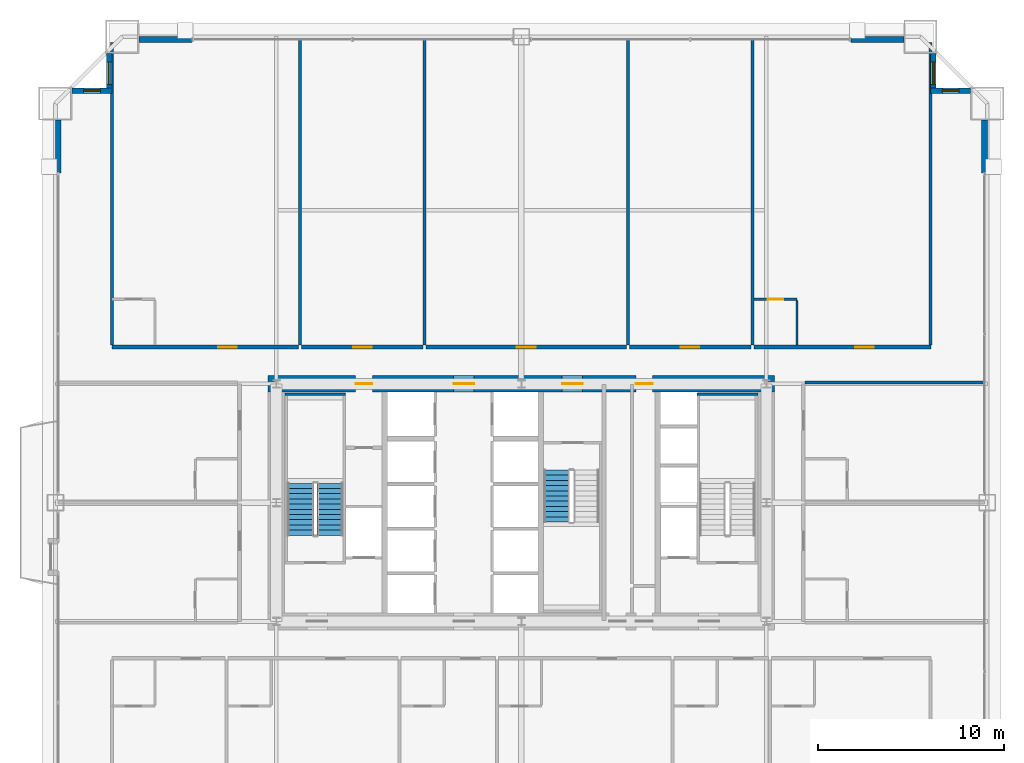
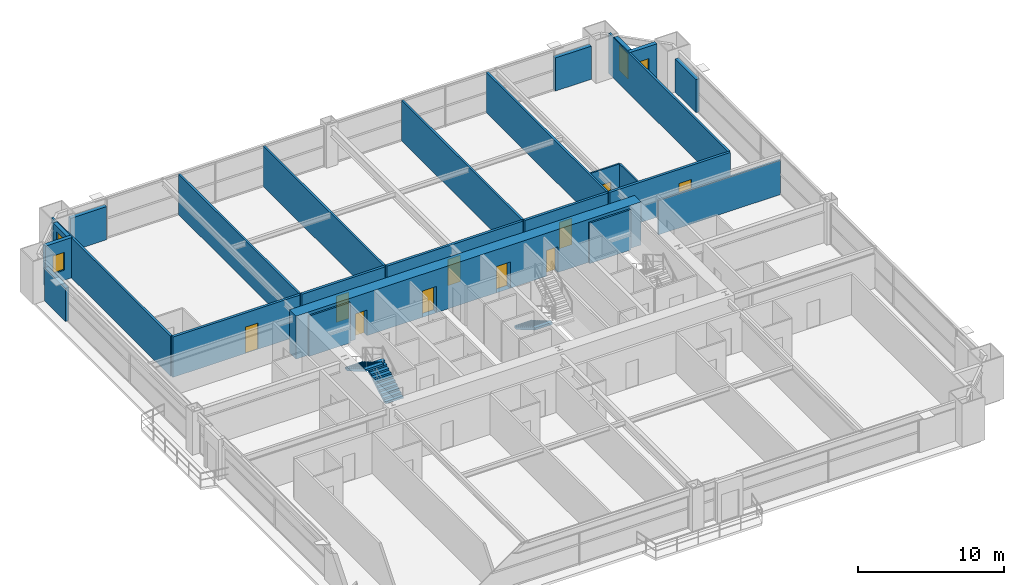
# One storey, part 44 of 46: 25 walls, 10 doors, 4 windows, 3 stair flights, 14 openings, 2 elements without a shape of their own.
"""IFC4 building model written with IfcOpenShell, lengths in metres."""

from ifc_helpers import new_model, si_unit, direction, frame, frame_2d, origin, place, context, subcontext, project, spatial, polyline, rectangle, outline, extrude, source, transform, mapped, material, layer, layer_set, type_object, element, fill, aggregate, save


model = new_model("IFC4")

# Units and contexts
model_context = context("Model", 3, precision=1e-05, world=origin(), true_north=direction((0.0, 1.0)))
body_context = subcontext(model_context, "Body", "Model", "MODEL_VIEW")
ifc_project = project(units=[si_unit("LENGTHUNIT", "METRE"), si_unit("AREAUNIT", "SQUARE_METRE"), si_unit("VOLUMEUNIT", "CUBIC_METRE"), si_unit("PLANEANGLEUNIT", "RADIAN"), si_unit("MASSUNIT", "GRAM", prefix="KILO"), si_unit("THERMODYNAMICTEMPERATUREUNIT", "KELVIN"), si_unit("POWERUNIT", "WATT")], contexts=[model_context])

# Site, building, storey
site_placement = place(None, origin())
site = spatial("IfcSite", under=ifc_project, at=site_placement, CompositionType="ELEMENT")
building_placement = place(site_placement, origin())
building = spatial("IfcBuilding", under=site, at=building_placement, Name="Yuzanri Waterfront Tower", CompositionType="ELEMENT")
storey_placement = place(building_placement, frame((0.0, 0.0, 56.800048828125)))
storey = spatial("IfcBuildingStorey", under=building, at=storey_placement, Name="L14", CompositionType="ELEMENT", Elevation=56.800048828125)

# Wall, opening, door
ifc_material_1 = material(Name="Moisture-Resistant Gypsum Stud Wall", Category="gypsum")
ifc_layer_1 = layer(ifc_material_1, 0.1201171875)
ifc_layer_set_1 = layer_set([ifc_layer_1], Name="Moisture-Resistant Gypsum Stud Wall")
wall_type_1 = type_object("IfcWallType", Name="Bathroom and Kitchen Wet Partition 120", PredefinedType="PARTITIONING", material=ifc_layer_set_1)
wall_1_placement = place(storey_placement, frame((49.52197265625, 36.760009765625, 0.0), z_axis=(0.0, 0.0, 1.0), x_axis=(1.0, 0.0, 0.0)))
wall_1 = element("IfcWall", 1, at=wall_1_placement, inside=storey, type_object=wall_type_1, Name="L14 Partition UW-L14-N5-BN", PredefinedType="PARTITIONING", context=body_context, shape_type="SweptSolid", body=[
    extrude(rectangle(XDim=2.330078125, YDim=0.1201171875, at=frame_2d((1.1650390625, 0.0))), origin(), (0.0, 0.0, 1.0), 3.3798828125),
])
opening_1_placement = place(wall_1_placement, frame((0.739990234375, 0.0, 0.0)))
opening_1 = element("IfcOpeningElement", 2, at=opening_1_placement, cuts=wall_1, Name="Opening ID-0850", PredefinedType="OPENING", context=body_context, shape_type="SweptSolid", body=[
    extrude(rectangle(XDim=0.85009765625, YDim=2.10009765625, at=frame_2d((0.425048828125, 1.050048828125))), frame((0.0, 0.074951171875, 0.0), z_axis=(0.0, -1.0, 0.0), x_axis=(1.0, 0.0, 0.0)), (0.0, 0.0, 1.0), 0.14990234375),
])
ifc_material_2 = material(Name="Moisture-Resistant Lacquered Timber", Category="wood")
door_type_1 = type_object("IfcDoorType", Name="En-Suite Bathroom and Kitchen Swing Door 850x2100", OperationType="NOTDEFINED", PredefinedType="DOOR", material=ifc_material_2)
shared_shape_1 = source(origin(), body_context, "Body", "SweptSolid", [
    extrude(rectangle(XDim=0.85009765625, YDim=2.10009765625, at=frame_2d((0.425048828125, 1.050048828125))), frame((0.0, 0.02490234375, 0.0), z_axis=(0.0, -1.0, 0.0), x_axis=(1.0, 0.0, 0.0)), (0.0, 0.0, 1.0), 0.050048828125),
])
door_1_placement = place(opening_1_placement, origin())
door_1 = element("IfcDoor", 3, at=door_1_placement, inside=storey, type_object=door_type_1, Name="L14 Guest En-Suite Door", OperationType="SINGLE_SWING_LEFT", OverallHeight=2.10009765625, OverallWidth=0.85009765625, PredefinedType="DOOR", context=body_context, shape_type="MappedRepresentation", body=[
    mapped(shared_shape_1, transform((0.0, 0.0, 0.0), scale=1.0)),
])
fill(opening_1, door_1)

# Wall, opening, window
ifc_material_3 = material(Name="Honed Chongqing Dark Basalt Stone", Category="masonry")
ifc_layer_2 = layer(ifc_material_3, 0.300048828125)
ifc_layer_set_2 = layer_set([ifc_layer_2], Name="Honed Chongqing Dark Basalt Stone")
wall_type_2 = type_object("IfcWallType", Name="Bronze Rainscreen Insulated Spandrel Portal Wall 300", PredefinedType="SOLIDWALL", material=ifc_layer_set_2)
wall_2_placement = place(storey_placement, frame((14.949951171875, 48.0, 0.0), z_axis=(0.0, 0.0, 1.0), x_axis=(-1.0, 0.0, 0.0)))
wall_2 = element("IfcWall", 4, at=wall_2_placement, inside=storey, type_object=wall_type_2, Name="L14 Notched Corner Masonry Wall NW-X", PredefinedType="SOLIDWALL", context=body_context, shape_type="SweptSolid", body=[
    extrude(rectangle(XDim=2.14990234375, YDim=0.300048828125, at=frame_2d((1.074951171875, 0.0))), origin(), (0.0, 0.0, 1.0), 3.3798828125),
])
opening_2_placement = place(wall_2_placement, frame((0.625, 0.0, 0.85009765625)))
opening_2 = element("IfcOpeningElement", 5, at=opening_2_placement, cuts=wall_2, Name="Opening WN-05", PredefinedType="OPENING", context=body_context, shape_type="SweptSolid", body=[
    extrude(rectangle(XDim=0.89990234375, YDim=1.5, at=frame_2d((0.449951171875, 0.75))), frame((0.0, 0.1650390625, 0.0), z_axis=(0.0, -1.0, 0.0), x_axis=(1.0, 0.0, 0.0)), (0.0, 0.0, 1.0), 0.329833984375),
])
ifc_material_4 = material(Name="Double-Silver Low-E Insulated Glass", Category="glass")
window_type_1 = type_object("IfcWindowType", Name="Anodized Bronze Service and Stairwell Smoke-Vent Window 900x1500", PartitioningType="SINGLE_PANEL", PredefinedType="WINDOW", material=ifc_material_4)
shared_shape_2 = source(origin(), body_context, "Body", "SweptSolid", [
    extrude(rectangle(XDim=0.89990234375, YDim=1.5, at=frame_2d((0.449951171875, 0.75))), frame((0.0, 0.030029296875, 0.0), z_axis=(0.0, -1.0, 0.0), x_axis=(1.0, 0.0, 0.0)), (0.0, 0.0, 1.0), 0.06005859375),
])
window_1_placement = place(opening_2_placement, origin())
window_1 = element("IfcWindow", 6, at=window_1_placement, inside=storey, type_object=window_type_1, Name="L14 Notched Corner Window NW-X", OverallHeight=1.5, OverallWidth=0.89990234375, PartitioningType="SINGLE_PANEL", PredefinedType="WINDOW", context=body_context, shape_type="MappedRepresentation", body=[
    mapped(shared_shape_2, transform((0.0, 0.0, 0.0), scale=1.0)),
])
fill(opening_2, window_1)

wall_3_placement = place(storey_placement, frame((14.800048828125, 50.0, 0.0), z_axis=(0.0, 0.0, 1.0), x_axis=(0.0, -1.0, 0.0)))
wall_3 = element("IfcWall", 7, at=wall_3_placement, inside=storey, type_object=wall_type_2, Name="L14 Notched Corner Masonry Wall NW-Y", PredefinedType="SOLIDWALL", context=body_context, shape_type="SweptSolid", body=[
    extrude(rectangle(XDim=2.14990234375, YDim=0.300048828125, at=frame_2d((1.074951171875, 0.0))), origin(), (0.0, 0.0, 1.0), 3.3798828125),
])
opening_3_placement = place(wall_3_placement, frame((0.47509765625, 0.0, 0.85009765625)))
opening_3 = element("IfcOpeningElement", 8, at=opening_3_placement, cuts=wall_3, Name="Opening WN-02", PredefinedType="OPENING", context=body_context, shape_type="SweptSolid", body=[
    extrude(rectangle(XDim=1.199951171875, YDim=2.10009765625, at=frame_2d((0.60009765625, 1.050048828125))), frame((0.0, 0.1650390625, 0.0), z_axis=(0.0, -1.0, 0.0), x_axis=(1.0, 0.0, 0.0)), (0.0, 0.0, 1.0), 0.329833984375),
])
ifc_material_5 = material(Name="Double-Silver Low-E Insulated Glass", Category="glass")
window_type_2 = type_object("IfcWindowType", Name="Anodized Bronze Notched Corner Deep-Set Slot Window 1200x2100", PartitioningType="SINGLE_PANEL", PredefinedType="WINDOW", material=ifc_material_5)
shared_shape_3 = source(origin(), body_context, "Body", "SweptSolid", [
    extrude(rectangle(XDim=1.199951171875, YDim=2.10009765625, at=frame_2d((0.60009765625, 1.050048828125))), frame((0.0, 0.030029296875, 0.0), z_axis=(0.0, -1.0, 0.0), x_axis=(1.0, 0.0, 0.0)), (0.0, 0.0, 1.0), 0.06005859375),
])
window_2_placement = place(opening_3_placement, origin())
window_2 = element("IfcWindow", 9, at=window_2_placement, inside=storey, type_object=window_type_2, Name="L14 Notched Corner Window NW-Y", OverallHeight=2.10009765625, OverallWidth=1.199951171875, PartitioningType="SINGLE_PANEL", PredefinedType="WINDOW", context=body_context, shape_type="MappedRepresentation", body=[
    mapped(shared_shape_3, transform((0.0, 0.0, 0.0), scale=1.0)),
])
fill(opening_3, window_2)

wall_4_placement = place(storey_placement, frame((61.199951171875, 48.0, 0.0), z_axis=(0.0, 0.0, 1.0), x_axis=(-1.0, 0.0, 0.0)))
wall_4 = element("IfcWall", 10, at=wall_4_placement, inside=storey, type_object=wall_type_2, Name="L14 Notched Corner Masonry Wall NE-X", PredefinedType="SOLIDWALL", context=body_context, shape_type="SweptSolid", body=[
    extrude(rectangle(XDim=2.14990234375, YDim=0.300048828125, at=frame_2d((1.074951171875, 0.0))), origin(), (0.0, 0.0, 1.0), 3.3798828125),
])
opening_4_placement = place(wall_4_placement, frame((0.625, 0.0, 0.85009765625)))
opening_4 = element("IfcOpeningElement", 11, at=opening_4_placement, cuts=wall_4, Name="Opening WN-05", PredefinedType="OPENING", context=body_context, shape_type="SweptSolid", body=[
    extrude(rectangle(XDim=0.89990234375, YDim=1.5, at=frame_2d((0.449951171875, 0.75))), frame((0.0, 0.1650390625, 0.0), z_axis=(0.0, -1.0, 0.0), x_axis=(1.0, 0.0, 0.0)), (0.0, 0.0, 1.0), 0.329833984375),
])
window_3_placement = place(opening_4_placement, origin())
window_3 = element("IfcWindow", 12, at=window_3_placement, inside=storey, type_object=window_type_1, Name="L14 Notched Corner Window NE-X", OverallHeight=1.5, OverallWidth=0.89990234375, PartitioningType="SINGLE_PANEL", PredefinedType="WINDOW", context=body_context, shape_type="MappedRepresentation", body=[
    mapped(shared_shape_2, transform((0.0, 0.0, 0.0), scale=1.0)),
])
fill(opening_4, window_3)

wall_5_placement = place(storey_placement, frame((59.199951171875, 47.85009765625, 0.0), z_axis=(0.0, 0.0, 1.0), x_axis=(0.0, 1.0, 0.0)))
wall_5 = element("IfcWall", 13, at=wall_5_placement, inside=storey, type_object=wall_type_2, Name="L14 Notched Corner Masonry Wall NE-Y", PredefinedType="SOLIDWALL", context=body_context, shape_type="SweptSolid", body=[
    extrude(rectangle(XDim=2.14990234375, YDim=0.300048828125, at=frame_2d((1.074951171875, 0.0))), origin(), (0.0, 0.0, 1.0), 3.3798828125),
])
opening_5_placement = place(wall_5_placement, frame((0.47509765625, 0.0, 0.85009765625)))
opening_5 = element("IfcOpeningElement", 14, at=opening_5_placement, cuts=wall_5, Name="Opening WN-02", PredefinedType="OPENING", context=body_context, shape_type="SweptSolid", body=[
    extrude(rectangle(XDim=1.199951171875, YDim=2.10009765625, at=frame_2d((0.60009765625, 1.050048828125))), frame((0.0, 0.1650390625, 0.0), z_axis=(0.0, -1.0, 0.0), x_axis=(1.0, 0.0, 0.0)), (0.0, 0.0, 1.0), 0.329833984375),
])
window_4_placement = place(opening_5_placement, origin())
window_4 = element("IfcWindow", 15, at=window_4_placement, inside=storey, type_object=window_type_2, Name="L14 Notched Corner Window NE-Y", OverallHeight=2.10009765625, OverallWidth=1.199951171875, PartitioningType="SINGLE_PANEL", PredefinedType="WINDOW", context=body_context, shape_type="MappedRepresentation", body=[
    mapped(shared_shape_3, transform((0.0, 0.0, 0.0), scale=1.0)),
])
fill(opening_5, window_4)

# Wall, openings, doors
ifc_material_6 = material(Name="Concrete C60", Category="concrete")
ifc_layer_3 = layer(ifc_material_6, 0.89990234375)
ifc_layer_set_3 = layer_set([ifc_layer_3], Name="Concrete C60")
wall_type_3 = type_object("IfcWallType", Name="Concrete C60 Lower Zone Core Shear Wall 900", PredefinedType="SHEAR", material=ifc_layer_set_3)
wall_6_placement = place(storey_placement, frame((23.35009765625, 32.199951171875, 0.0), z_axis=(0.0, 0.0, 1.0), x_axis=(1.0, 0.0, 0.0)))
wall_6 = element("IfcWall", 16, at=wall_6_placement, inside=storey, type_object=wall_type_3, Name="L14 Core North Shear Wall", PredefinedType="SHEAR", context=body_context, shape_type="SweptSolid", body=[
    extrude(rectangle(XDim=27.2998046875, YDim=0.89990234375, at=frame_2d((13.64990234375, 0.0))), origin(), (0.0, 0.0, 1.0), 3.599853515625),
])
opening_6_placement = place(wall_6_placement, frame((4.719970703125, 0.0, 0.0)))
opening_6 = element("IfcOpeningElement", 17, at=opening_6_placement, cuts=wall_6, Name="Opening FD-0900", PredefinedType="OPENING", context=body_context, shape_type="SweptSolid", body=[
    extrude(rectangle(XDim=0.89990234375, YDim=2.14990234375, at=frame_2d((0.449951171875, 1.074951171875))), frame((0.0, 0.46484375, 0.0), z_axis=(0.0, -1.0, 0.0), x_axis=(1.0, 0.0, 0.0)), (0.0, 0.0, 1.0), 0.9296875),
])
opening_7_placement = place(wall_6_placement, frame((10.0, 0.0, 0.0)))
opening_7 = element("IfcOpeningElement", 18, at=opening_7_placement, cuts=wall_6, Name="Opening FD-1100", PredefinedType="OPENING", context=body_context, shape_type="SweptSolid", body=[
    extrude(rectangle(XDim=1.10009765625, YDim=2.199951171875, at=frame_2d((0.550048828125, 1.10009765625))), frame((0.0, 0.46484375, 0.0), z_axis=(0.0, -1.0, 0.0), x_axis=(1.0, 0.0, 0.0)), (0.0, 0.0, 1.0), 0.9296875),
])
opening_8_placement = place(wall_6_placement, frame((15.85009765625, 0.0, 0.0)))
opening_8 = element("IfcOpeningElement", 19, at=opening_8_placement, cuts=wall_6, Name="Opening FD-1100", PredefinedType="OPENING", context=body_context, shape_type="SweptSolid", body=[
    extrude(rectangle(XDim=1.10009765625, YDim=2.199951171875, at=frame_2d((0.550048828125, 1.10009765625))), frame((0.0, 0.46484375, 0.0), z_axis=(0.0, -1.0, 0.0), x_axis=(1.0, 0.0, 0.0)), (0.0, 0.0, 1.0), 0.9296875),
])
opening_9_placement = place(wall_6_placement, frame((19.820068359375, 0.0, 0.0)))
opening_9 = element("IfcOpeningElement", 20, at=opening_9_placement, cuts=wall_6, Name="Opening FD-0900", PredefinedType="OPENING", context=body_context, shape_type="SweptSolid", body=[
    extrude(rectangle(XDim=0.89990234375, YDim=2.14990234375, at=frame_2d((0.449951171875, 1.074951171875))), frame((0.0, 0.46484375, 0.0), z_axis=(0.0, -1.0, 0.0), x_axis=(1.0, 0.0, 0.0)), (0.0, 0.0, 1.0), 0.9296875),
])
ifc_material_7 = material(Name="Painted Galvanized Fire Steel", Category="steel")
door_type_2 = type_object("IfcDoorType", Name="Smoke-Proof Stair and Lobby Fire Door 1100x2200", OperationType="NOTDEFINED", PredefinedType="DOOR", material=ifc_material_7)
shared_shape_4 = source(origin(), body_context, "Body", "SweptSolid", [
    extrude(rectangle(XDim=1.10009765625, YDim=2.199951171875, at=frame_2d((0.550048828125, 1.10009765625))), frame((0.0, 0.02490234375, 0.0), z_axis=(0.0, -1.0, 0.0), x_axis=(1.0, 0.0, 0.0)), (0.0, 0.0, 1.0), 0.050048828125),
])
door_2_placement = place(opening_7_placement, origin())
door_2 = element("IfcDoor", 21, at=door_2_placement, inside=storey, type_object=door_type_2, Name="L14 Central Lift Lobby North Door", OperationType="SINGLE_SWING_LEFT", OverallHeight=2.199951171875, OverallWidth=1.10009765625, PredefinedType="DOOR", context=body_context, shape_type="MappedRepresentation", body=[
    mapped(shared_shape_4, transform((0.0, 0.0, 0.0), scale=1.0)),
])
fill(opening_7, door_2)
door_3_placement = place(opening_8_placement, origin())
door_3 = element("IfcDoor", 22, at=door_3_placement, inside=storey, type_object=door_type_2, Name="L14 North Stair Lobby Door", OperationType="SINGLE_SWING_RIGHT", OverallHeight=2.199951171875, OverallWidth=1.10009765625, PredefinedType="DOOR", context=body_context, shape_type="MappedRepresentation", body=[
    mapped(shared_shape_4, transform((0.0, 0.0, 0.0), scale=1.0)),
])
fill(opening_8, door_3)
ifc_material_8 = material(Name="Painted Galvanized Fire Steel", Category="steel")
door_type_3 = type_object("IfcDoorType", Name="Riser and Service Room Fire Door 900x2150", OperationType="NOTDEFINED", PredefinedType="DOOR", material=ifc_material_8)
shared_shape_5 = source(origin(), body_context, "Body", "SweptSolid", [
    extrude(rectangle(XDim=0.89990234375, YDim=2.14990234375, at=frame_2d((0.449951171875, 1.074951171875))), frame((0.0, 0.02490234375, 0.0), z_axis=(0.0, -1.0, 0.0), x_axis=(1.0, 0.0, 0.0)), (0.0, 0.0, 1.0), 0.050048828125),
])
door_4_placement = place(opening_6_placement, origin())
door_4 = element("IfcDoor", 23, at=door_4_placement, inside=storey, type_object=door_type_3, Name="L14 Telecom Riser Door", OperationType="SINGLE_SWING_RIGHT", OverallHeight=2.14990234375, OverallWidth=0.89990234375, PredefinedType="DOOR", context=body_context, shape_type="MappedRepresentation", body=[
    mapped(shared_shape_5, transform((0.0, 0.0, 0.0), scale=1.0)),
])
fill(opening_6, door_4)
door_5_placement = place(opening_9_placement, origin())
door_5 = element("IfcDoor", 24, at=door_5_placement, inside=storey, type_object=door_type_3, Name="L14 Linen Store Room", OperationType="SINGLE_SWING_RIGHT", OverallHeight=2.14990234375, OverallWidth=0.89990234375, PredefinedType="DOOR", context=body_context, shape_type="MappedRepresentation", body=[
    mapped(shared_shape_5, transform((0.0, 0.0, 0.0), scale=1.0)),
])
fill(opening_9, door_5)

# Wall, opening, door
ifc_material_9 = material(Name="Autoclaved Aerated Concrete Blockwork", Category="masonry")
ifc_layer_4 = layer(ifc_material_9, 0.199951171875)
ifc_layer_set_4 = layer_set([ifc_layer_4], Name="Autoclaved Aerated Concrete Blockwork")
wall_type_4 = type_object("IfcWallType", Name="Corridor and Unit Party Fire Wall 200", PredefinedType="PARTITIONING", material=ifc_layer_set_4)
wall_7_placement = place(storey_placement, frame((14.93994140625, 34.179931640625, 0.0), z_axis=(0.0, 0.0, 1.0), x_axis=(1.0, 0.0, 0.0)))
wall_7 = element("IfcWall", 25, at=wall_7_placement, inside=storey, type_object=wall_type_4, Name="L14 Partition UW-L14-N1-CS", PredefinedType="PARTITIONING", context=body_context, shape_type="SweptSolid", body=[
    extrude(rectangle(XDim=10.068115234375, YDim=0.199951171875, at=frame_2d((5.0341796875, 0.0))), origin(), (0.0, 0.0, 1.0), 3.3798828125),
])
opening_10_placement = place(wall_7_placement, frame((5.739013671875, 0.0, 0.0)))
opening_10 = element("IfcOpeningElement", 26, at=opening_10_placement, cuts=wall_7, Name="Opening FD-1000", PredefinedType="OPENING", context=body_context, shape_type="SweptSolid", body=[
    extrude(rectangle(XDim=1.0, YDim=2.199951171875, at=frame_2d((0.5, 1.10009765625))), frame((0.0, 0.11474609375, 0.0), z_axis=(0.0, -1.0, 0.0), x_axis=(1.0, 0.0, 0.0)), (0.0, 0.0, 1.0), 0.229736328125),
])
ifc_material_10 = material(Name="Engineered Oak Fire-Rated Timber", Category="wood")
door_type_4 = type_object("IfcDoorType", Name="Guestroom and Apartment Entrance Fire Door 1000x2200", OperationType="NOTDEFINED", PredefinedType="DOOR", material=ifc_material_10)
shared_shape_6 = source(origin(), body_context, "Body", "SweptSolid", [
    extrude(rectangle(XDim=1.0, YDim=2.199951171875, at=frame_2d((0.5, 1.10009765625))), frame((0.0, 0.02490234375, 0.0), z_axis=(0.0, -1.0, 0.0), x_axis=(1.0, 0.0, 0.0)), (0.0, 0.0, 1.0), 0.050048828125),
])
door_6_placement = place(opening_10_placement, origin())
door_6 = element("IfcDoor", 27, at=door_6_placement, inside=storey, type_object=door_type_4, Name="L14 Diplomatic Suite Entrance Door", OperationType="SINGLE_SWING_LEFT", OverallHeight=2.199951171875, OverallWidth=1.0, PredefinedType="DOOR", context=body_context, shape_type="MappedRepresentation", body=[
    mapped(shared_shape_6, transform((0.0, 0.0, 0.0), scale=1.0)),
])
fill(opening_10, door_6)

wall_8_placement = place(storey_placement, frame((25.16796875, 34.179931640625, 0.0), z_axis=(0.0, 0.0, 1.0), x_axis=(1.0, 0.0, 0.0)))
wall_8 = element("IfcWall", 28, at=wall_8_placement, inside=storey, type_object=wall_type_4, Name="L14 Partition UW-L14-N2-CS", PredefinedType="PARTITIONING", context=body_context, shape_type="SweptSolid", body=[
    extrude(rectangle(XDim=6.546142578125, YDim=0.199951171875, at=frame_2d((3.27294921875, 0.0))), origin(), (0.0, 0.0, 1.0), 3.3798828125),
])
opening_11_placement = place(wall_8_placement, frame((2.77294921875, 0.0, 0.0)))
opening_11 = element("IfcOpeningElement", 29, at=opening_11_placement, cuts=wall_8, Name="Opening FD-1000", PredefinedType="OPENING", context=body_context, shape_type="SweptSolid", body=[
    extrude(rectangle(XDim=1.0, YDim=2.199951171875, at=frame_2d((0.5, 1.10009765625))), frame((0.0, 0.11474609375, 0.0), z_axis=(0.0, -1.0, 0.0), x_axis=(1.0, 0.0, 0.0)), (0.0, 0.0, 1.0), 0.229736328125),
])
door_7_placement = place(opening_11_placement, origin())
door_7 = element("IfcDoor", 30, at=door_7_placement, inside=storey, type_object=door_type_4, Name="L14 Executive Office 1 Entrance Door", OperationType="SINGLE_SWING_LEFT", OverallHeight=2.199951171875, OverallWidth=1.0, PredefinedType="DOOR", context=body_context, shape_type="MappedRepresentation", body=[
    mapped(shared_shape_6, transform((0.0, 0.0, 0.0), scale=1.0)),
])
fill(opening_11, door_7)

wall_9_placement = place(storey_placement, frame((31.8740234375, 34.179931640625, 0.0), z_axis=(0.0, 0.0, 1.0), x_axis=(1.0, 0.0, 0.0)))
wall_9 = element("IfcWall", 31, at=wall_9_placement, inside=storey, type_object=wall_type_4, Name="L14 Partition UW-L14-N3-CS", PredefinedType="PARTITIONING", context=body_context, shape_type="SweptSolid", body=[
    extrude(rectangle(XDim=10.781982421875, YDim=0.199951171875, at=frame_2d((5.39111328125, 0.0))), origin(), (0.0, 0.0, 1.0), 3.3798828125),
])
opening_12_placement = place(wall_9_placement, frame((4.89111328125, 0.0, 0.0)))
opening_12 = element("IfcOpeningElement", 32, at=opening_12_placement, cuts=wall_9, Name="Opening FD-1000", PredefinedType="OPENING", context=body_context, shape_type="SweptSolid", body=[
    extrude(rectangle(XDim=1.0, YDim=2.199951171875, at=frame_2d((0.5, 1.10009765625))), frame((0.0, 0.11474609375, 0.0), z_axis=(0.0, -1.0, 0.0), x_axis=(1.0, 0.0, 0.0)), (0.0, 0.0, 1.0), 0.229736328125),
])
door_8_placement = place(opening_12_placement, origin())
door_8 = element("IfcDoor", 33, at=door_8_placement, inside=storey, type_object=door_type_4, Name="L14 Executive Office 2 Entrance Door", OperationType="SINGLE_SWING_RIGHT", OverallHeight=2.199951171875, OverallWidth=1.0, PredefinedType="DOOR", context=body_context, shape_type="MappedRepresentation", body=[
    mapped(shared_shape_6, transform((0.0, 0.0, 0.0), scale=1.0)),
])
fill(opening_12, door_8)

wall_10_placement = place(storey_placement, frame((42.81591796875, 34.179931640625, 0.0), z_axis=(0.0, 0.0, 1.0), x_axis=(1.0, 0.0, 0.0)))
wall_10 = element("IfcWall", 34, at=wall_10_placement, inside=storey, type_object=wall_type_4, Name="L14 Partition UW-L14-N4-CS", PredefinedType="PARTITIONING", context=body_context, shape_type="SweptSolid", body=[
    extrude(rectangle(XDim=6.546142578125, YDim=0.199951171875, at=frame_2d((3.27294921875, 0.0))), origin(), (0.0, 0.0, 1.0), 3.3798828125),
])
opening_13_placement = place(wall_10_placement, frame((2.77294921875, 0.0, 0.0)))
opening_13 = element("IfcOpeningElement", 35, at=opening_13_placement, cuts=wall_10, Name="Opening FD-1000", PredefinedType="OPENING", context=body_context, shape_type="SweptSolid", body=[
    extrude(rectangle(XDim=1.0, YDim=2.199951171875, at=frame_2d((0.5, 1.10009765625))), frame((0.0, 0.11474609375, 0.0), z_axis=(0.0, -1.0, 0.0), x_axis=(1.0, 0.0, 0.0)), (0.0, 0.0, 1.0), 0.229736328125),
])
door_9_placement = place(opening_13_placement, origin())
door_9 = element("IfcDoor", 36, at=door_9_placement, inside=storey, type_object=door_type_4, Name="L14 Executive Office 3 Entrance Door", OperationType="SINGLE_SWING_LEFT", OverallHeight=2.199951171875, OverallWidth=1.0, PredefinedType="DOOR", context=body_context, shape_type="MappedRepresentation", body=[
    mapped(shared_shape_6, transform((0.0, 0.0, 0.0), scale=1.0)),
])
fill(opening_13, door_9)

wall_11_placement = place(storey_placement, frame((49.52197265625, 34.179931640625, 0.0), z_axis=(0.0, 0.0, 1.0), x_axis=(1.0, 0.0, 0.0)))
wall_11 = element("IfcWall", 37, at=wall_11_placement, inside=storey, type_object=wall_type_4, Name="L14 Partition UW-L14-N5-CS", PredefinedType="PARTITIONING", context=body_context, shape_type="SweptSolid", body=[
    extrude(rectangle(XDim=9.5380859375, YDim=0.199951171875, at=frame_2d((4.76904296875, 0.0))), origin(), (0.0, 0.0, 1.0), 3.3798828125),
])
opening_14_placement = place(wall_11_placement, frame((5.47412109375, 0.0, 0.0)))
opening_14 = element("IfcOpeningElement", 38, at=opening_14_placement, cuts=wall_11, Name="Opening FD-1000", PredefinedType="OPENING", context=body_context, shape_type="SweptSolid", body=[
    extrude(rectangle(XDim=1.0, YDim=2.199951171875, at=frame_2d((0.5, 1.10009765625))), frame((0.0, 0.11474609375, 0.0), z_axis=(0.0, -1.0, 0.0), x_axis=(1.0, 0.0, 0.0)), (0.0, 0.0, 1.0), 0.229736328125),
])
door_10_placement = place(opening_14_placement, origin())
door_10 = element("IfcDoor", 39, at=door_10_placement, inside=storey, type_object=door_type_4, Name="L14 Diplomatic Suite Entrance Door", OperationType="SINGLE_SWING_RIGHT", OverallHeight=2.199951171875, OverallWidth=1.0, PredefinedType="DOOR", context=body_context, shape_type="MappedRepresentation", body=[
    mapped(shared_shape_6, transform((0.0, 0.0, 0.0), scale=1.0)),
])
fill(opening_14, door_10)

# Walls
shared_shape_7 = source(origin(), body_context, "Body", "SweptSolid", [
    extrude(rectangle(XDim=2.85009765625, YDim=0.300048828125, at=frame_2d((1.425048828125, 0.0))), origin(), (0.0, 0.0, 1.0), 2.77490234375),
])
for number, where, z_axis, x_axis, name in (
    (40, (16.39990234375, 50.75, 0.0), (0.0, 0.0, 1.0), (1.0, 0.0, 0.0), "L14 N Left Braced Masonry Shoulder"),
    (41, (54.75, 50.75, 0.0), (0.0, 0.0, 1.0), (1.0, 0.0, 0.0), "L14 N Right Braced Masonry Shoulder"),
):
    element("IfcWall", number, at=place(storey_placement, frame(where, z_axis=z_axis, x_axis=x_axis)), inside=storey, type_object=wall_type_2, Name=name, PredefinedType="SOLIDWALL", context=body_context, shape_type="MappedRepresentation", body=[
        mapped(shared_shape_7, transform((0.0, 0.0, 0.0), scale=1.0)),
    ])
shared_shape_8 = source(origin(), body_context, "Body", "SweptSolid", [
    extrude(rectangle(XDim=2.849853515625, YDim=0.300048828125, at=frame_2d((1.4248046875, 0.0))), origin(), (0.0, 0.0, 1.0), 2.77490234375),
])
for number, where, z_axis, x_axis, name in (
    (42, (12.050048828125, 43.550048828125, 0.0), (0.0, 0.0, 1.0), (0.0, 1.0, 0.0), "L14 W Right Braced Masonry Shoulder"),
    (43, (61.949951171875, 43.550048828125, 0.0), (0.0, 0.0, 1.0), (0.0, 1.0, 0.0), "L14 E Right Braced Masonry Shoulder"),
):
    element("IfcWall", number, at=place(storey_placement, frame(where, z_axis=z_axis, x_axis=x_axis)), inside=storey, type_object=wall_type_2, Name=name, PredefinedType="SOLIDWALL", context=body_context, shape_type="MappedRepresentation", body=[
        mapped(shared_shape_8, transform((0.0, 0.0, 0.0), scale=1.0)),
    ])
ifc_material_11 = material(Name="Concrete C40", Category="concrete")
ifc_layer_5 = layer(ifc_material_11, 0.139892578125)
ifc_layer_set_5 = layer_set([ifc_layer_5], Name="Concrete C40")
wall_type_5 = type_object("IfcWallType", Name="Core Stair Liner and Hoistway Shaft Wall 140", PredefinedType="SOLIDWALL", material=ifc_layer_set_5)
shared_shape_9 = source(origin(), body_context, "Body", "SweptSolid", [
    extrude(rectangle(XDim=3.280029296875, YDim=0.139892578125, at=frame_2d((1.64013671875, 0.0))), origin(), (0.0, 0.0, 1.0), 3.3798828125),
])
for number, where, z_axis, x_axis, name in (
    (44, (24.260009765625, 31.64990234375, 0.0), (0.0, 0.0, 1.0), (1.0, 0.0, 0.0), "L14 Stair ST-01 North Shaft Wall"),
    (45, (46.4599609375, 31.64990234375, 0.0), (0.0, 0.0, 1.0), (1.0, 0.0, 0.0), "L14 Stair ST-02 North Shaft Wall"),
):
    element("IfcWall", number, at=place(storey_placement, frame(where, z_axis=z_axis, x_axis=x_axis)), inside=storey, type_object=wall_type_5, Name=name, PredefinedType="SOLIDWALL", context=body_context, shape_type="MappedRepresentation", body=[
        mapped(shared_shape_9, transform((0.0, 0.0, 0.0), scale=1.0)),
    ])
ifc_material_12 = material(Name="Gypsum Fireboard Acoustic Stud Wall", Category="gypsum")
ifc_layer_6 = layer(ifc_material_12, 0.159912109375)
ifc_layer_set_6 = layer_set([ifc_layer_6], Name="Gypsum Fireboard Acoustic Stud Wall")
wall_type_6 = type_object("IfcWallType", Name="Acoustic Suite Demising Partition 160", PredefinedType="PARTITIONING", material=ifc_layer_set_6)
shared_shape_10 = source(origin(), body_context, "Body", "SweptSolid", [
    extrude(rectangle(XDim=16.469970703125, YDim=0.159912109375, at=frame_2d((8.23486328125, 0.0))), origin(), (0.0, 0.0, 1.0), 3.3798828125),
])
for number, where, z_axis, x_axis, name in (
    (46, (25.087890625, 34.280029296875, 0.0), (0.0, 0.0, 1.0), (0.0, 1.0, 0.0), "L14-N1 Party Wall"),
    (47, (31.7939453125, 34.280029296875, 0.0), (0.0, 0.0, 1.0), (0.0, 1.0, 0.0), "L14-N2 Party Wall"),
    (48, (42.736083984375, 34.280029296875, 0.0), (0.0, 0.0, 1.0), (0.0, 1.0, 0.0), "L14-N3 Party Wall"),
    (49, (49.44189453125, 34.280029296875, 0.0), (0.0, 0.0, 1.0), (0.0, 1.0, 0.0), "L14-N4 Party Wall"),
):
    element("IfcWall", number, at=place(storey_placement, frame(where, z_axis=z_axis, x_axis=x_axis)), inside=storey, type_object=wall_type_6, Name=name, PredefinedType="PARTITIONING", context=body_context, shape_type="MappedRepresentation", body=[
        mapped(shared_shape_10, transform((0.0, 0.0, 0.0), scale=1.0)),
    ])
shared_shape_11 = source(origin(), body_context, "Body", "SweptSolid", [
    extrude(rectangle(XDim=16.320068359375, YDim=0.159912109375, at=frame_2d((8.16015625, 0.0))), origin(), (0.0, 0.0, 1.0), 3.3798828125),
])
for number, where, z_axis, x_axis, name in (
    (50, (14.949951171875, 34.280029296875, 0.0), (0.0, 0.0, 1.0), (0.0, 1.0, 0.0), "L14 North Band West End Wall"),
    (51, (59.050048828125, 34.280029296875, 0.0), (0.0, 0.0, 1.0), (0.0, 1.0, 0.0), "L14 North Band East End Wall"),
):
    element("IfcWall", number, at=place(storey_placement, frame(where, z_axis=z_axis, x_axis=x_axis)), inside=storey, type_object=wall_type_6, Name=name, PredefinedType="PARTITIONING", context=body_context, shape_type="MappedRepresentation", body=[
        mapped(shared_shape_11, transform((0.0, 0.0, 0.0), scale=1.0)),
    ])
shared_shape_12 = source(origin(), body_context, "Body", "SweptSolid", [
    extrude(rectangle(XDim=2.419921875, YDim=0.1201171875, at=frame_2d((1.2099609375, 0.0))), origin(), (0.0, 0.0, 1.0), 3.3798828125),
])
wall_12_placement = place(storey_placement, frame((51.85205078125, 34.280029296875, 0.0), z_axis=(0.0, 0.0, 1.0), x_axis=(0.0, 1.0, 0.0)))
element("IfcWall", 52, at=wall_12_placement, inside=storey, type_object=wall_type_1, Name="L14-N5 En-Suite Side Wall", PredefinedType="PARTITIONING", context=body_context, shape_type="MappedRepresentation", body=[
    mapped(shared_shape_12, transform((0.0, 0.0, 0.0), scale=1.0)),
])
shared_shape_13 = source(origin(), body_context, "Body", "SweptSolid", [
    extrude(rectangle(XDim=9.669921875, YDim=0.159912109375, at=frame_2d((4.8349609375, 0.0))), origin(), (0.0, 0.0, 1.0), 2.875),
])
wall_13_placement = place(storey_placement, frame((52.280029296875, 32.27001953125, 0.0), z_axis=(0.0, 0.0, 1.0), x_axis=(1.0, 0.0, 0.0)))
element("IfcWall", 53, at=wall_13_placement, inside=storey, type_object=wall_type_6, Name="L14-E2 Wing North End Wall", PredefinedType="PARTITIONING", context=body_context, shape_type="MappedRepresentation", body=[
    mapped(shared_shape_13, transform((0.0, 0.0, 0.0), scale=1.0)),
])

# Stair, stair flights
ifc_material_13 = material(Name="Concrete C40", Category="concrete")
stair_type = type_object("IfcStairType", Name="Concrete C40 Core Dogleg Exit Stair", PredefinedType="HALF_TURN_STAIR", material=ifc_material_13)
stair_1_placement = place(storey_placement, origin())
stair_1 = element("IfcStair", 54, at=stair_1_placement, inside=storey, type_object=stair_type, Name="L14 Smoke-Proof Core Stair ST-01", PredefinedType="HALF_TURN_STAIR")
ifc_material_14 = material(Name="Concrete C40", Category="concrete")
stair_flight_type = type_object("IfcStairFlightType", Name="Concrete C40 Precast Stair Flight 1380", PredefinedType="STRAIGHT", material=ifc_material_14)
shared_shape_14 = source(origin(), body_context, "Body", "SweptSolid", [
    extrude(outline(polyline([(0.0, 0.0), (0.0, 0.16357421875), (0.280029296875, 0.16357421875), (0.280029296875, 0.327392578125), (0.56005859375, 0.327392578125), (0.56005859375, 0.490966796875), (0.840087890625, 0.490966796875), (0.840087890625, 0.654541015625), (1.1201171875, 0.654541015625), (1.1201171875, 0.818115234375), (1.39990234375, 0.818115234375), (1.39990234375, 0.98193359375), (1.679931640625, 0.98193359375), (1.679931640625, 1.1455078125), (1.9599609375, 1.1455078125), (1.9599609375, 1.30908203125), (2.239990234375, 1.30908203125), (2.239990234375, 1.47265625), (2.52001953125, 1.47265625), (2.52001953125, 1.636474609375), (2.800048828125, 1.636474609375), (2.800048828125, 1.800048828125), (2.800048828125, 1.462646484375), (0.297119140625, 0.0), (0.0, 0.0)])), frame((0.0, 0.699951171875, 0.0), z_axis=(0.0, -1.0, 0.0), x_axis=(1.0, 0.0, 0.0)), (0.0, 0.0, 1.0), 1.39990234375),
])
stair_flight_1_placement = place(storey_placement, frame((26.699951171875, 24.0400390625, 0.0), z_axis=(0.0, 0.0, 1.0), x_axis=(0.0, 1.0, 0.0)))
stair_flight_1 = element("IfcStairFlight", 55, at=stair_flight_1_placement, type_object=stair_flight_type, Name="ST-01 flight 1", NumberOfRisers=11, NumberOfTreads=10, PredefinedType="STRAIGHT", RiserHeight=0.163636364, TreadLength=0.28, context=body_context, shape_type="MappedRepresentation", body=[
    mapped(shared_shape_14, transform((0.0, 0.0, 0.0), scale=1.0)),
])
stair_flight_2_placement = place(storey_placement, frame((25.10009765625, 26.840087890625, 1.800048828125), z_axis=(0.0, 0.0, 1.0), x_axis=(0.0, -1.0, 0.0)))
stair_flight_2 = element("IfcStairFlight", 56, at=stair_flight_2_placement, type_object=stair_flight_type, Name="ST-01 flight 2", NumberOfRisers=11, NumberOfTreads=10, PredefinedType="STRAIGHT", RiserHeight=0.163636364, TreadLength=0.28, context=body_context, shape_type="MappedRepresentation", body=[
    mapped(shared_shape_14, transform((0.0, 0.0, 0.0), scale=1.0)),
])
aggregate(stair_1, [stair_flight_1, stair_flight_2])

# Stair, stair flight
stair_2_placement = place(storey_placement, origin())
stair_2 = element("IfcStair", 57, at=stair_2_placement, inside=storey, type_object=stair_type, Name="L14 Smoke-Proof Core Stair ST-03", PredefinedType="HALF_TURN_STAIR")
stair_flight_3_placement = place(storey_placement, frame((38.89990234375, 27.56005859375, 0.0), z_axis=(0.0, 0.0, 1.0), x_axis=(0.0, -1.0, 0.0)))
stair_flight_3 = element("IfcStairFlight", 58, at=stair_flight_3_placement, type_object=stair_flight_type, Name="ST-03 flight 1", NumberOfRisers=11, NumberOfTreads=10, PredefinedType="STRAIGHT", RiserHeight=0.163636364, TreadLength=0.28, context=body_context, shape_type="MappedRepresentation", body=[
    mapped(shared_shape_14, transform((0.0, 0.0, 0.0), scale=1.0)),
])
aggregate(stair_2, [stair_flight_3])

save(model, "model.ifc")
